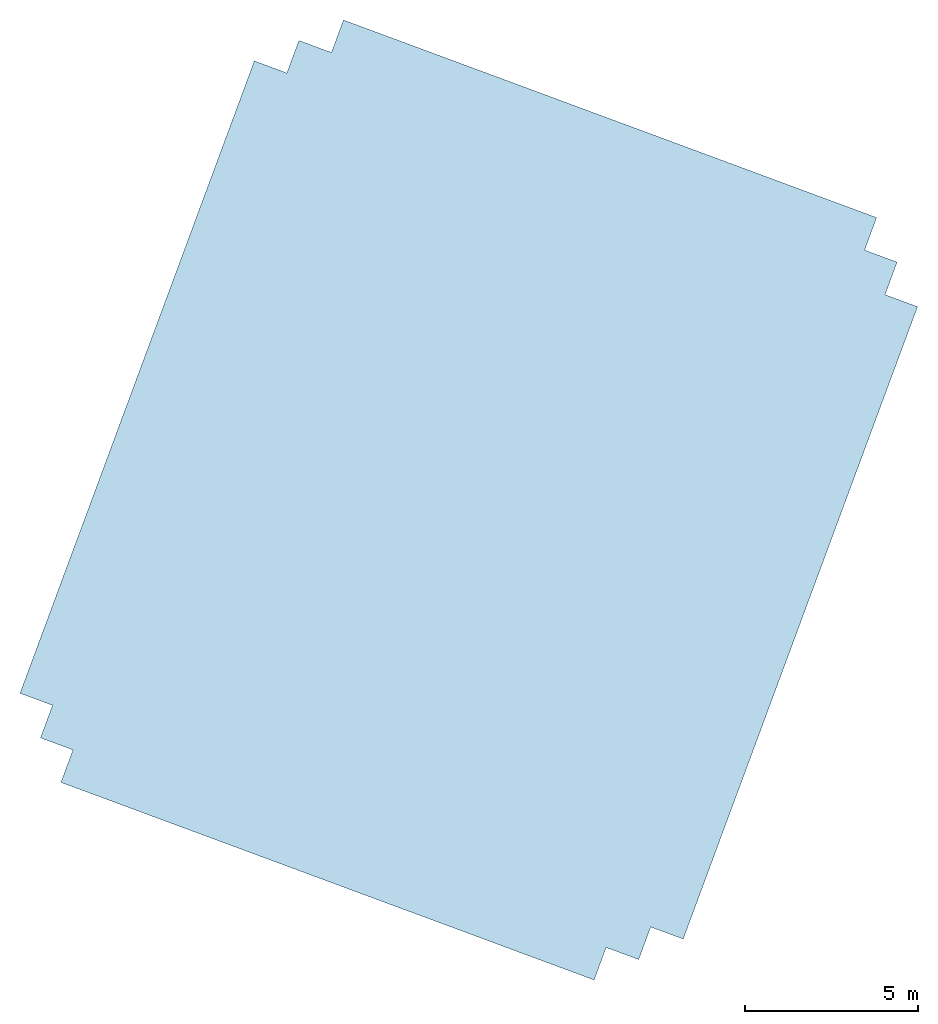
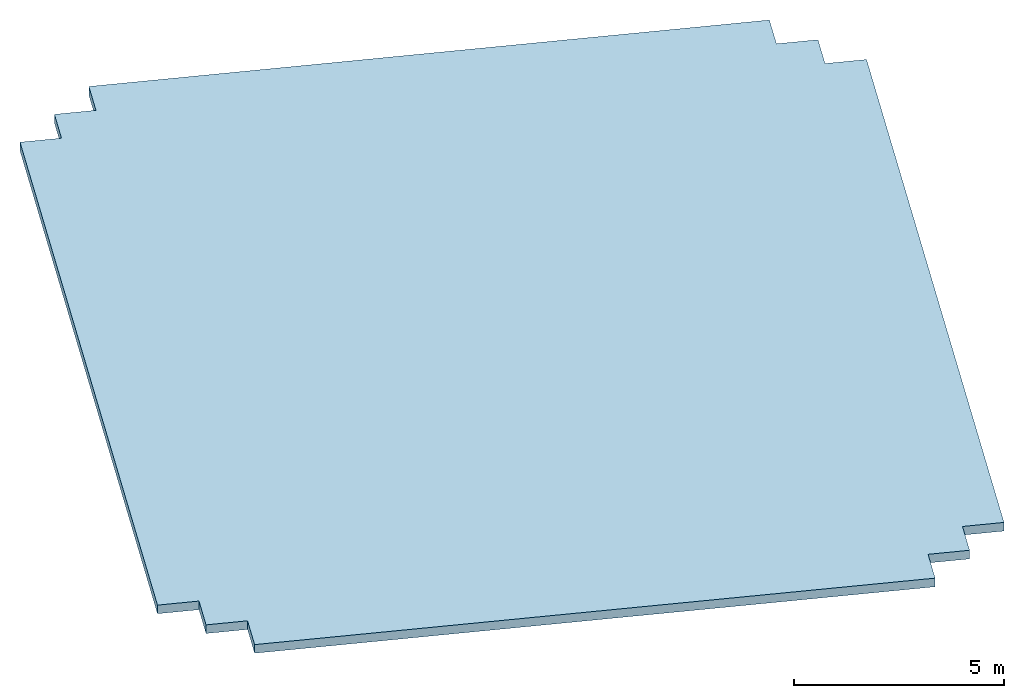
# One storey: 1 slab.
"""IFC4 building model written with IfcOpenShell, lengths in metres."""

from ifc_helpers import new_model, si_unit, direction, frame, origin, place, context, subcontext, project, spatial, polyline, outline, extrude, material, layer, layer_set, type_object, element, save


model = new_model("IFC4")

# Units and contexts
model_context = context("Model", 3, precision=1e-05, world=origin(), true_north=direction((0.0, 1.0)))
body_context = subcontext(model_context, "Body", "Model", "MODEL_VIEW")
ifc_project = project(units=[si_unit("LENGTHUNIT", "METRE"), si_unit("AREAUNIT", "SQUARE_METRE"), si_unit("VOLUMEUNIT", "CUBIC_METRE"), si_unit("PLANEANGLEUNIT", "RADIAN"), si_unit("MASSUNIT", "GRAM", prefix="KILO")], contexts=[model_context])

# Site, building, storey
site_placement = place(None, origin())
site = spatial("IfcSite", under=ifc_project, at=site_placement, CompositionType="ELEMENT")
building_placement = place(site_placement, origin())
building = spatial("IfcBuilding", under=site, at=building_placement, Name="Cantera Rosa Tower", CompositionType="ELEMENT")
storey_placement = place(building_placement, frame((0.0, 0.0, 378.699951171875)))
storey = spatial("IfcBuildingStorey", under=building, at=storey_placement, Name="ROOF", CompositionType="ELEMENT", Elevation=378.699951171875)

# Slab
ifc_material = material(Name="Concrete C35/45", Category="concrete")
ifc_layer = layer(ifc_material, 0.25)
ifc_layer_set = layer_set([ifc_layer], Name="COMPOSITE ROOF SLAB WITH FALLS AND MEMBRANE 250 C35/45")
slab_type = type_object("IfcSlabType", Name="COMPOSITE ROOF SLAB WITH FALLS AND MEMBRANE 250 C35/45", PredefinedType="ROOF", material=ifc_layer_set)
slab_placement = place(storey_placement, frame((0.0, 0.0, -0.25)))
element("IfcSlab", 1, at=slab_placement, inside=storey, type_object=slab_type, Name="ROOF SLAB L84", PredefinedType="ROOF", context=body_context, shape_type="SweptSolid", body=[
    extrude(outline(polyline([(11.76318359375, 8.14501953125), (-3.61474609375, 13.84375), (-3.96240234375, 12.906005859375), (-4.89990234375, 13.25341796875), (-5.24755859375, 12.31591796875), (-6.185302734375, 12.663330078125), (-12.943603515625, -5.57470703125), (-12.006103515625, -5.922119140625), (-12.353515625, -6.85986328125), (-11.415771484375, -7.207275390625), (-11.76318359375, -8.14501953125), (3.61474609375, -13.84375), (3.96240234375, -12.906005859375), (4.89990234375, -13.25341796875), (5.24755859375, -12.31591796875), (6.185302734375, -12.663330078125), (12.943603515625, 5.57470703125), (12.006103515625, 5.922119140625), (12.353515625, 6.85986328125), (11.415771484375, 7.207275390625), (11.76318359375, 8.14501953125)])), origin(), (0.0, 0.0, 1.0), 0.25),
])

save(model, "model.ifc")
